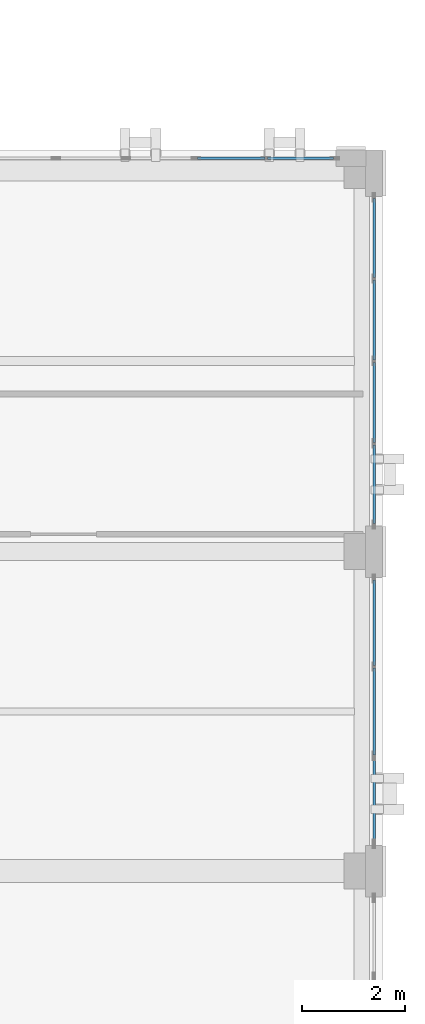
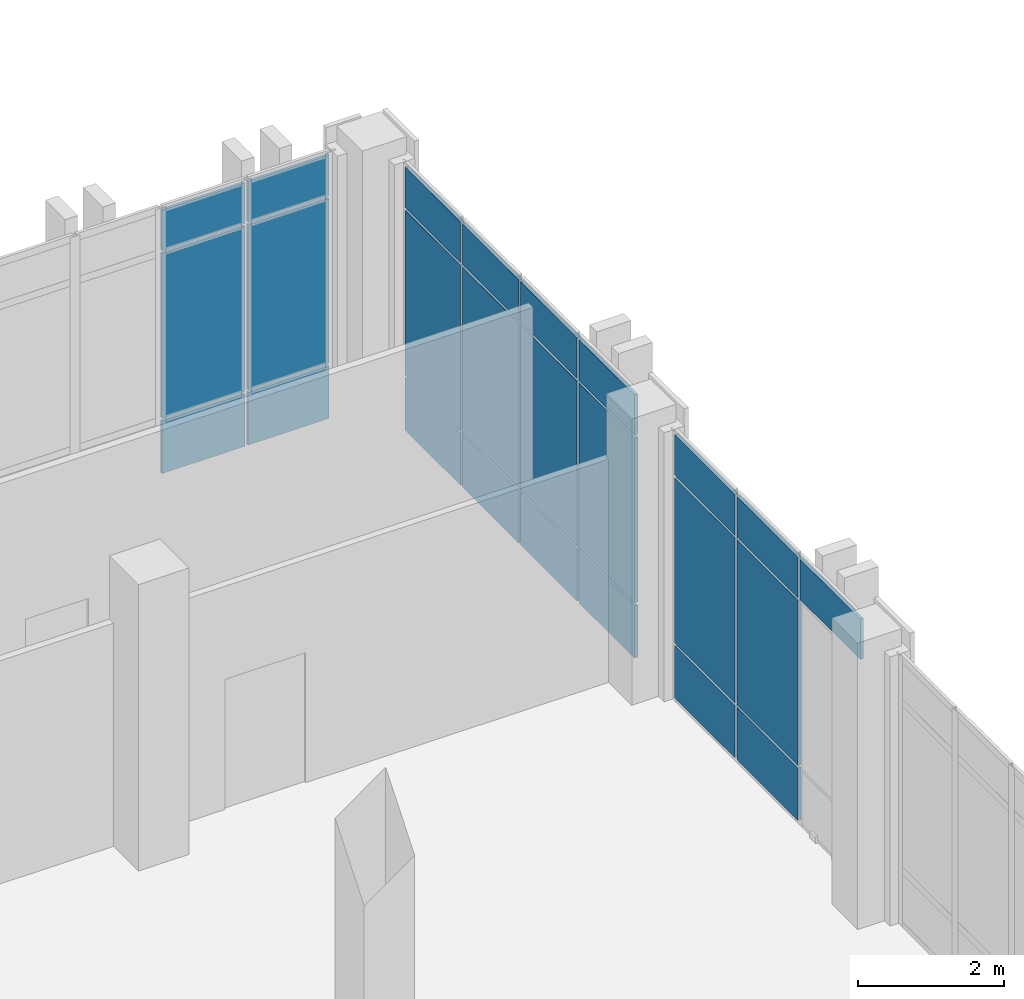
# One storey, part 150 of 189: 25 plates, 3 elements without a shape of their own.
"""IFC4 building model written with IfcOpenShell, lengths in metres."""

from ifc_helpers import new_model, si_unit, direction, frame, origin, origin_2d, place, context, subcontext, project, spatial, rectangle, extrude, material, layer, layer_set, type_object, element, aggregate, save


model = new_model("IFC4")

# Units and contexts
model_context = context("Model", 3, precision=1e-05, world=origin(), true_north=direction((0.0, 1.0)))
body_context = subcontext(model_context, "Body", "Model", "MODEL_VIEW")
ifc_project = project(units=[si_unit("LENGTHUNIT", "METRE"), si_unit("AREAUNIT", "SQUARE_METRE"), si_unit("VOLUMEUNIT", "CUBIC_METRE"), si_unit("PLANEANGLEUNIT", "RADIAN"), si_unit("MASSUNIT", "GRAM", prefix="KILO")], contexts=[model_context])

# Site, building, storey
site_placement = place(None, origin())
site = spatial("IfcSite", under=ifc_project, at=site_placement, CompositionType="ELEMENT")
building_placement = place(site_placement, origin())
building = spatial("IfcBuilding", under=site, at=building_placement, Name="Qalavern Law Courts", CompositionType="ELEMENT")
storey_placement = place(building_placement, frame((0.0, 0.0, 5.39990234375)))
storey = spatial("IfcBuildingStorey", under=building, at=storey_placement, Name="L01", CompositionType="ELEMENT", Elevation=5.39990234375)

# Curtain wall, plates
ifc_material_1 = material(Name="Anodised aluminium and insulated glazing", Category="aluminium")
ifc_layer_1 = layer(ifc_material_1, 0.172119140625)
ifc_layer_set_1 = layer_set([ifc_layer_1], Name="Anodised aluminium and insulated glazing")
curtain_wall_type = type_object("IfcCurtainWallType", Name="ENV-CW-COURT", PredefinedType="USERDEFINED", material=ifc_layer_set_1)
curtain_wall_1_placement = place(storey_placement, origin())
curtain_wall_1 = element("IfcCurtainWall", 1, at=curtain_wall_1_placement, inside=storey, type_object=curtain_wall_type, Name="V6 unitised curtain wall L01 north 1", ObjectType="UNITISED CURTAIN WALL", PredefinedType="USERDEFINED")
ifc_material_2 = material(Name="Insulated low-E acoustic glazing", Category="glass")
ifc_layer_2 = layer(ifc_material_2, 0.0439453125)
ifc_layer_set_2 = layer_set([ifc_layer_2], Name="Insulated low-E acoustic glazing")
plate_type_1 = type_object("IfcPlateType", Name="ENV-CWP-44", PredefinedType="CURTAIN_PANEL", material=ifc_layer_set_2)
plate_1_placement = place(storey_placement, frame((164.407958984375, 22.4375, 0.048095703125), z_axis=(0.0, 0.0, 1.0), x_axis=(-1.0, 0.0, 0.0)))
plate_1 = element("IfcPlate", 2, at=plate_1_placement, type_object=plate_type_1, Name="CW-03 panel 1.1", PredefinedType="CURTAIN_PANEL", context=body_context, shape_type="SweptSolid", body=[
    extrude(rectangle(XDim=1.2880859375, YDim=0.0439453125, at=origin_2d()), origin(), (0.0, 0.0, 1.0), 0.8779296875),
])
plate_2_placement = place(storey_placement, frame((164.407958984375, 22.4375, 0.97412109375), z_axis=(0.0, 0.0, 1.0), x_axis=(-1.0, 0.0, 0.0)))
plate_2 = element("IfcPlate", 3, at=plate_2_placement, type_object=plate_type_1, Name="CW-03 panel 1.2", PredefinedType="CURTAIN_PANEL", context=body_context, shape_type="SweptSolid", body=[
    extrude(rectangle(XDim=1.2880859375, YDim=0.0439453125, at=origin_2d()), origin(), (0.0, 0.0, 1.0), 2.761962890625),
])
plate_3_placement = place(storey_placement, frame((164.407958984375, 22.4375, 3.7841796875), z_axis=(0.0, 0.0, 1.0), x_axis=(-1.0, 0.0, 0.0)))
plate_3 = element("IfcPlate", 4, at=plate_3_placement, type_object=plate_type_1, Name="CW-03 panel 1.3", PredefinedType="CURTAIN_PANEL", context=body_context, shape_type="SweptSolid", body=[
    extrude(rectangle(XDim=1.2880859375, YDim=0.0439453125, at=origin_2d()), origin(), (0.0, 0.0, 1.0), 0.677978515625),
])
plate_4_placement = place(storey_placement, frame((163.06005859375, 22.4375, 0.048095703125), z_axis=(0.0, 0.0, 1.0), x_axis=(-1.0, 0.0, 0.0)))
plate_4 = element("IfcPlate", 5, at=plate_4_placement, type_object=plate_type_1, Name="CW-03 panel 2.1", PredefinedType="CURTAIN_PANEL", context=body_context, shape_type="SweptSolid", body=[
    extrude(rectangle(XDim=1.31201171875, YDim=0.0439453125, at=origin_2d()), origin(), (0.0, 0.0, 1.0), 0.8779296875),
])
plate_5_placement = place(storey_placement, frame((163.06005859375, 22.4375, 0.97412109375), z_axis=(0.0, 0.0, 1.0), x_axis=(-1.0, 0.0, 0.0)))
plate_5 = element("IfcPlate", 6, at=plate_5_placement, type_object=plate_type_1, Name="CW-03 panel 2.2", PredefinedType="CURTAIN_PANEL", context=body_context, shape_type="SweptSolid", body=[
    extrude(rectangle(XDim=1.31201171875, YDim=0.0439453125, at=origin_2d()), origin(), (0.0, 0.0, 1.0), 2.761962890625),
])
plate_6_placement = place(storey_placement, frame((163.06005859375, 22.4375, 3.7841796875), z_axis=(0.0, 0.0, 1.0), x_axis=(-1.0, 0.0, 0.0)))
plate_6 = element("IfcPlate", 7, at=plate_6_placement, type_object=plate_type_1, Name="CW-03 panel 2.3", PredefinedType="CURTAIN_PANEL", context=body_context, shape_type="SweptSolid", body=[
    extrude(rectangle(XDim=1.31201171875, YDim=0.0439453125, at=origin_2d()), origin(), (0.0, 0.0, 1.0), 0.677978515625),
])
aggregate(curtain_wall_1, [plate_1, plate_2, plate_3, plate_4, plate_5, plate_6])

curtain_wall_2_placement = place(storey_placement, origin())
curtain_wall_2 = element("IfcCurtainWall", 8, at=curtain_wall_2_placement, inside=storey, type_object=curtain_wall_type, Name="V6 unitised curtain wall L01 east 2", ObjectType="UNITISED CURTAIN WALL", PredefinedType="USERDEFINED")
ifc_layer_3 = layer(ifc_material_2, 0.048095703125)
ifc_layer_set_3 = layer_set([ifc_layer_3], Name="Insulated low-E acoustic glazing")
plate_type_2 = type_object("IfcPlateType", Name="ENV-CWP-48", PredefinedType="CURTAIN_PANEL", material=ifc_layer_set_3)
plate_7_placement = place(storey_placement, frame((165.83740234375, 9.978759765625, 3.7841796875), z_axis=(0.0, 0.0, 1.0), x_axis=(0.0, 1.0, 0.0)))
plate_7 = element("IfcPlate", 9, at=plate_7_placement, type_object=plate_type_2, Name="CW-03 panel 1.3", PredefinedType="CURTAIN_PANEL", context=body_context, shape_type="SweptSolid", body=[
    extrude(rectangle(XDim=1.661376953125, YDim=0.048095703125, at=origin_2d()), origin(), (0.0, 0.0, 1.0), 0.677978515625),
])
plate_8_placement = place(storey_placement, frame((165.83740234375, 11.699951171875, 0.048095703125), z_axis=(0.0, 0.0, 1.0), x_axis=(0.0, 1.0, 0.0)))
plate_8 = element("IfcPlate", 10, at=plate_8_placement, type_object=plate_type_2, Name="CW-03 panel 2.1", PredefinedType="CURTAIN_PANEL", context=body_context, shape_type="SweptSolid", body=[
    extrude(rectangle(XDim=1.685302734375, YDim=0.048095703125, at=origin_2d()), origin(), (0.0, 0.0, 1.0), 0.8779296875),
])
plate_9_placement = place(storey_placement, frame((165.83740234375, 11.699951171875, 0.97412109375), z_axis=(0.0, 0.0, 1.0), x_axis=(0.0, 1.0, 0.0)))
plate_9 = element("IfcPlate", 11, at=plate_9_placement, type_object=plate_type_2, Name="CW-03 panel 2.2", PredefinedType="CURTAIN_PANEL", context=body_context, shape_type="SweptSolid", body=[
    extrude(rectangle(XDim=1.685302734375, YDim=0.048095703125, at=origin_2d()), origin(), (0.0, 0.0, 1.0), 2.761962890625),
])
plate_10_placement = place(storey_placement, frame((165.83740234375, 11.699951171875, 3.7841796875), z_axis=(0.0, 0.0, 1.0), x_axis=(0.0, 1.0, 0.0)))
plate_10 = element("IfcPlate", 12, at=plate_10_placement, type_object=plate_type_2, Name="CW-03 panel 2.3", PredefinedType="CURTAIN_PANEL", context=body_context, shape_type="SweptSolid", body=[
    extrude(rectangle(XDim=1.685302734375, YDim=0.048095703125, at=origin_2d()), origin(), (0.0, 0.0, 1.0), 0.677978515625),
])
plate_11_placement = place(storey_placement, frame((165.83740234375, 13.42138671875, 0.048095703125), z_axis=(0.0, 0.0, 1.0), x_axis=(0.0, 1.0, 0.0)))
plate_11 = element("IfcPlate", 13, at=plate_11_placement, type_object=plate_type_2, Name="CW-03 panel 3.1", PredefinedType="CURTAIN_PANEL", context=body_context, shape_type="SweptSolid", body=[
    extrude(rectangle(XDim=1.661376953125, YDim=0.048095703125, at=origin_2d()), origin(), (0.0, 0.0, 1.0), 0.8779296875),
])
plate_12_placement = place(storey_placement, frame((165.83740234375, 13.42138671875, 0.97412109375), z_axis=(0.0, 0.0, 1.0), x_axis=(0.0, 1.0, 0.0)))
plate_12 = element("IfcPlate", 14, at=plate_12_placement, type_object=plate_type_2, Name="CW-03 panel 3.2", PredefinedType="CURTAIN_PANEL", context=body_context, shape_type="SweptSolid", body=[
    extrude(rectangle(XDim=1.661376953125, YDim=0.048095703125, at=origin_2d()), origin(), (0.0, 0.0, 1.0), 2.761962890625),
])
plate_13_placement = place(storey_placement, frame((165.83740234375, 13.42138671875, 3.7841796875), z_axis=(0.0, 0.0, 1.0), x_axis=(0.0, 1.0, 0.0)))
plate_13 = element("IfcPlate", 15, at=plate_13_placement, type_object=plate_type_2, Name="CW-03 panel 3.3", PredefinedType="CURTAIN_PANEL", context=body_context, shape_type="SweptSolid", body=[
    extrude(rectangle(XDim=1.661376953125, YDim=0.048095703125, at=origin_2d()), origin(), (0.0, 0.0, 1.0), 0.677978515625),
])
aggregate(curtain_wall_2, [plate_7, plate_8, plate_9, plate_10, plate_11, plate_12, plate_13])

curtain_wall_3_placement = place(storey_placement, origin())
curtain_wall_3 = element("IfcCurtainWall", 16, at=curtain_wall_3_placement, inside=storey, type_object=curtain_wall_type, Name="V6 unitised curtain wall L01 east 3", ObjectType="UNITISED CURTAIN WALL", PredefinedType="USERDEFINED")
ifc_layer_4 = layer(ifc_material_2, 0.052001953125)
ifc_layer_set_4 = layer_set([ifc_layer_4], Name="Insulated low-E acoustic glazing")
plate_type_3 = type_object("IfcPlateType", Name="ENV-CWP-52", PredefinedType="CURTAIN_PANEL", material=ifc_layer_set_4)
plate_14_placement = place(storey_placement, frame((165.83740234375, 16.112060546875, 0.048095703125), z_axis=(0.0, 0.0, 1.0), x_axis=(0.0, 1.0, 0.0)))
plate_14 = element("IfcPlate", 17, at=plate_14_placement, type_object=plate_type_3, Name="CW-03 panel 1.1", PredefinedType="CURTAIN_PANEL", context=body_context, shape_type="SweptSolid", body=[
    extrude(rectangle(XDim=1.528076171875, YDim=0.052001953125, at=origin_2d()), origin(), (0.0, 0.0, 1.0), 0.8779296875),
])
plate_15_placement = place(storey_placement, frame((165.83740234375, 16.112060546875, 0.97412109375), z_axis=(0.0, 0.0, 1.0), x_axis=(0.0, 1.0, 0.0)))
plate_15 = element("IfcPlate", 18, at=plate_15_placement, type_object=plate_type_3, Name="CW-03 panel 1.2", PredefinedType="CURTAIN_PANEL", context=body_context, shape_type="SweptSolid", body=[
    extrude(rectangle(XDim=1.528076171875, YDim=0.052001953125, at=origin_2d()), origin(), (0.0, 0.0, 1.0), 2.761962890625),
])
plate_16_placement = place(storey_placement, frame((165.83740234375, 16.112060546875, 3.7841796875), z_axis=(0.0, 0.0, 1.0), x_axis=(0.0, 1.0, 0.0)))
plate_16 = element("IfcPlate", 19, at=plate_16_placement, type_object=plate_type_3, Name="CW-03 panel 1.3", PredefinedType="CURTAIN_PANEL", context=body_context, shape_type="SweptSolid", body=[
    extrude(rectangle(XDim=1.528076171875, YDim=0.052001953125, at=origin_2d()), origin(), (0.0, 0.0, 1.0), 0.677978515625),
])
plate_17_placement = place(storey_placement, frame((165.83740234375, 17.699951171875, 0.048095703125), z_axis=(0.0, 0.0, 1.0), x_axis=(0.0, 1.0, 0.0)))
plate_17 = element("IfcPlate", 20, at=plate_17_placement, type_object=plate_type_3, Name="CW-03 panel 2.1", PredefinedType="CURTAIN_PANEL", context=body_context, shape_type="SweptSolid", body=[
    extrude(rectangle(XDim=1.552001953125, YDim=0.052001953125, at=origin_2d()), origin(), (0.0, 0.0, 1.0), 0.8779296875),
])
plate_18_placement = place(storey_placement, frame((165.83740234375, 17.699951171875, 0.97412109375), z_axis=(0.0, 0.0, 1.0), x_axis=(0.0, 1.0, 0.0)))
plate_18 = element("IfcPlate", 21, at=plate_18_placement, type_object=plate_type_3, Name="CW-03 panel 2.2", PredefinedType="CURTAIN_PANEL", context=body_context, shape_type="SweptSolid", body=[
    extrude(rectangle(XDim=1.552001953125, YDim=0.052001953125, at=origin_2d()), origin(), (0.0, 0.0, 1.0), 2.761962890625),
])
plate_19_placement = place(storey_placement, frame((165.83740234375, 17.699951171875, 3.7841796875), z_axis=(0.0, 0.0, 1.0), x_axis=(0.0, 1.0, 0.0)))
plate_19 = element("IfcPlate", 22, at=plate_19_placement, type_object=plate_type_3, Name="CW-03 panel 2.3", PredefinedType="CURTAIN_PANEL", context=body_context, shape_type="SweptSolid", body=[
    extrude(rectangle(XDim=1.552001953125, YDim=0.052001953125, at=origin_2d()), origin(), (0.0, 0.0, 1.0), 0.677978515625),
])
plate_20_placement = place(storey_placement, frame((165.83740234375, 19.300048828125, 0.048095703125), z_axis=(0.0, 0.0, 1.0), x_axis=(0.0, 1.0, 0.0)))
plate_20 = element("IfcPlate", 23, at=plate_20_placement, type_object=plate_type_3, Name="CW-03 panel 3.1", PredefinedType="CURTAIN_PANEL", context=body_context, shape_type="SweptSolid", body=[
    extrude(rectangle(XDim=1.552001953125, YDim=0.052001953125, at=origin_2d()), origin(), (0.0, 0.0, 1.0), 0.8779296875),
])
plate_21_placement = place(storey_placement, frame((165.83740234375, 19.300048828125, 0.97412109375), z_axis=(0.0, 0.0, 1.0), x_axis=(0.0, 1.0, 0.0)))
plate_21 = element("IfcPlate", 24, at=plate_21_placement, type_object=plate_type_3, Name="CW-03 panel 3.2", PredefinedType="CURTAIN_PANEL", context=body_context, shape_type="SweptSolid", body=[
    extrude(rectangle(XDim=1.552001953125, YDim=0.052001953125, at=origin_2d()), origin(), (0.0, 0.0, 1.0), 2.761962890625),
])
plate_22_placement = place(storey_placement, frame((165.83740234375, 19.300048828125, 3.7841796875), z_axis=(0.0, 0.0, 1.0), x_axis=(0.0, 1.0, 0.0)))
plate_22 = element("IfcPlate", 25, at=plate_22_placement, type_object=plate_type_3, Name="CW-03 panel 3.3", PredefinedType="CURTAIN_PANEL", context=body_context, shape_type="SweptSolid", body=[
    extrude(rectangle(XDim=1.552001953125, YDim=0.052001953125, at=origin_2d()), origin(), (0.0, 0.0, 1.0), 0.677978515625),
])
plate_23_placement = place(storey_placement, frame((165.83740234375, 20.887939453125, 0.048095703125), z_axis=(0.0, 0.0, 1.0), x_axis=(0.0, 1.0, 0.0)))
plate_23 = element("IfcPlate", 26, at=plate_23_placement, type_object=plate_type_3, Name="CW-03 panel 4.1", PredefinedType="CURTAIN_PANEL", context=body_context, shape_type="SweptSolid", body=[
    extrude(rectangle(XDim=1.528076171875, YDim=0.052001953125, at=origin_2d()), origin(), (0.0, 0.0, 1.0), 0.8779296875),
])
plate_24_placement = place(storey_placement, frame((165.83740234375, 20.887939453125, 0.97412109375), z_axis=(0.0, 0.0, 1.0), x_axis=(0.0, 1.0, 0.0)))
plate_24 = element("IfcPlate", 27, at=plate_24_placement, type_object=plate_type_3, Name="CW-03 panel 4.2", PredefinedType="CURTAIN_PANEL", context=body_context, shape_type="SweptSolid", body=[
    extrude(rectangle(XDim=1.528076171875, YDim=0.052001953125, at=origin_2d()), origin(), (0.0, 0.0, 1.0), 2.761962890625),
])
plate_25_placement = place(storey_placement, frame((165.83740234375, 20.887939453125, 3.7841796875), z_axis=(0.0, 0.0, 1.0), x_axis=(0.0, 1.0, 0.0)))
plate_25 = element("IfcPlate", 28, at=plate_25_placement, type_object=plate_type_3, Name="CW-03 panel 4.3", PredefinedType="CURTAIN_PANEL", context=body_context, shape_type="SweptSolid", body=[
    extrude(rectangle(XDim=1.528076171875, YDim=0.052001953125, at=origin_2d()), origin(), (0.0, 0.0, 1.0), 0.677978515625),
])
aggregate(curtain_wall_3, [plate_14, plate_15, plate_16, plate_17, plate_18, plate_19, plate_20, plate_21, plate_22, plate_23, plate_24, plate_25])

save(model, "model.ifc")
